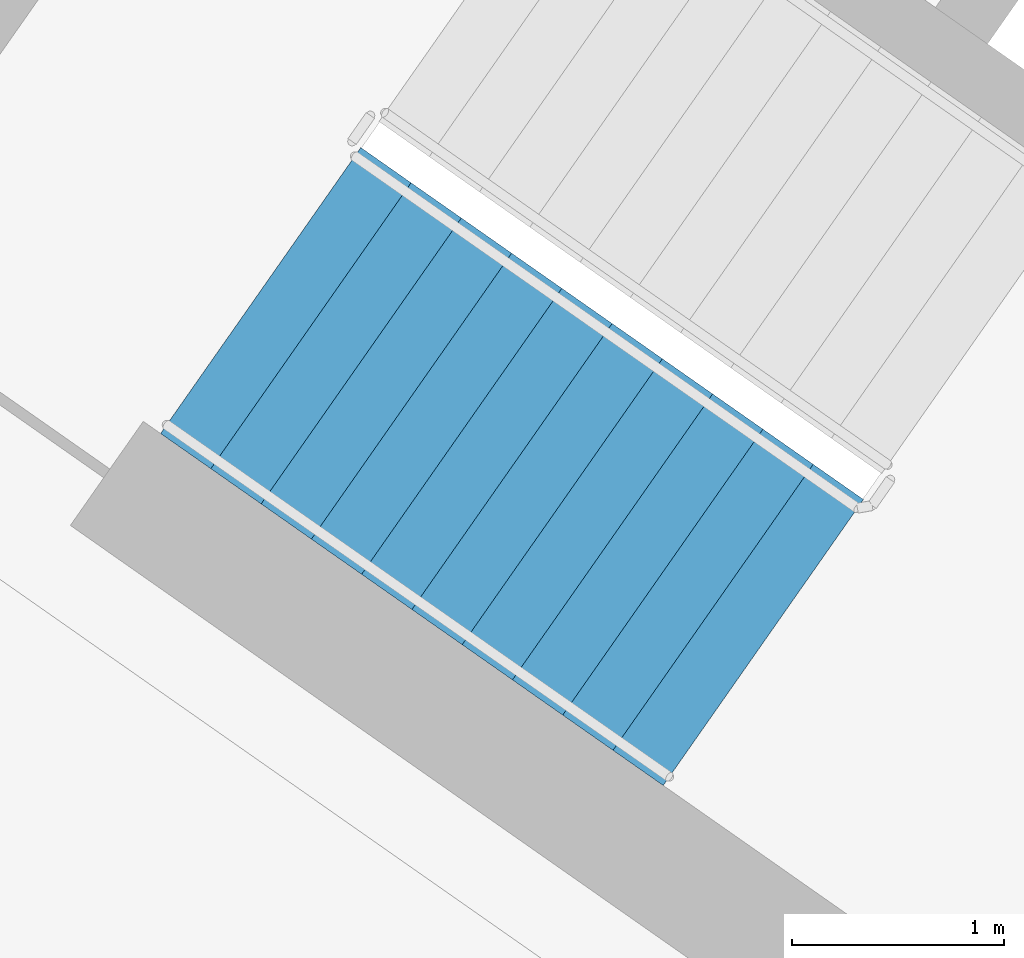
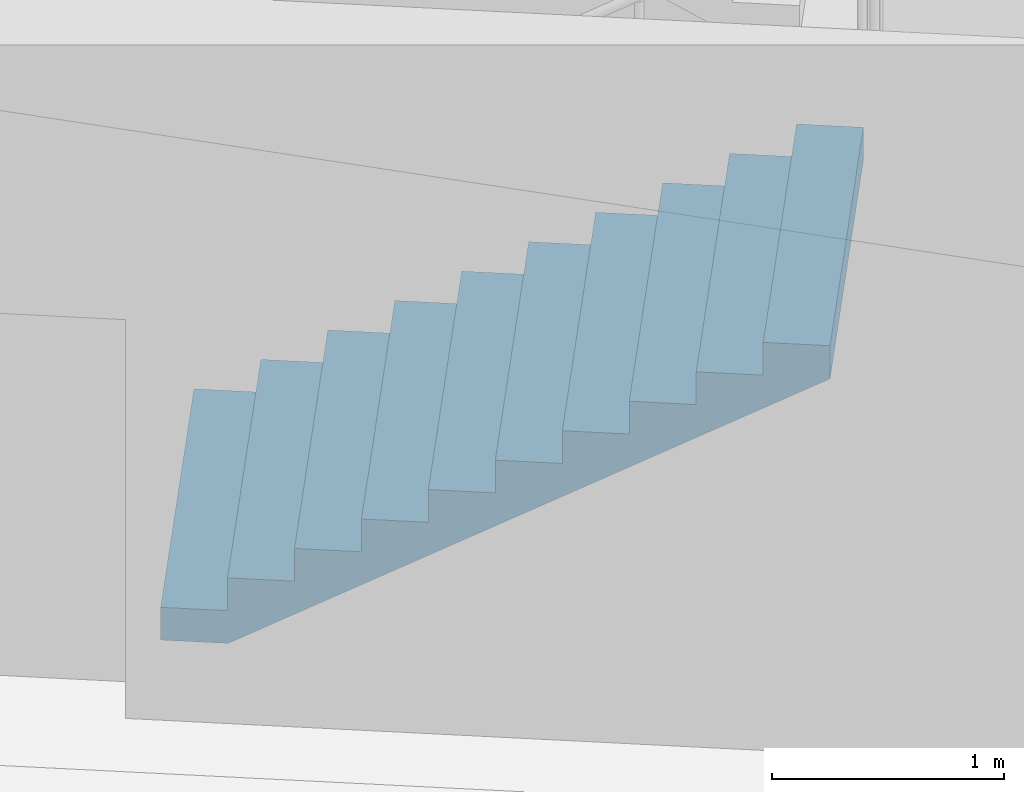
# One storey, part 9 of 28: 1 stair flight, 1 element without a shape of its own.
"""IFC4 building model written with IfcOpenShell, lengths in metres."""

import ifcopenshell
import ifcopenshell.guid

model = None  # the IFC model being written
_history = None  # IfcOwnerHistory: only IFC2X3 demands one
_inside = {}  # id of a spatial element -> (the spatial element, [elements in it])
_under = {}  # id of a project, library or spatial element -> (it, [spatial elements below it])
_declared = {}  # id of a project -> (the project, [libraries it declares])
_typed = {}  # id of a type object -> (the type object, [elements of that type])
_made_of = {}  # id of a material, layer set ... -> (it, [elements and type objects made of it])


def new_model(schema):
    """Start an empty IFC model of exactly this schema.

    Asked for "IFC4X3", IfcOpenShell would pick the latest addendum, in which some entities
    have other attributes; the version numbers below select the first issue.
    IFC2X3 requires an IfcOwnerHistory on every rooted entity: one is made here for all.
    """
    global model, _history
    if schema == "IFC4X3":
        model = ifcopenshell.file(schema_version=(4, 3, 0, 0))
    else:
        model = ifcopenshell.file(schema=schema)
    _inside.clear()
    _under.clear()
    _declared.clear()
    _typed.clear()
    _made_of.clear()
    _history = None
    if model.schema == "IFC2X3":
        org = make("IfcOrganization", Name="unknown")
        user = make(
            "IfcPersonAndOrganization",
            ThePerson=make("IfcPerson", FamilyName="unknown"),
            TheOrganization=org,
        )
        app = make(
            "IfcApplication",
            ApplicationDeveloper=org,
            Version="unknown",
            ApplicationFullName="unknown",
            ApplicationIdentifier="unknown",
        )
        _history = make(
            "IfcOwnerHistory",
            OwningUser=user,
            OwningApplication=app,
            ChangeAction="ADDED",
            CreationDate=0,
        )
    return model


def make(cls, **values):
    """One entity of the class cls with the attributes given. An attribute that is None is left unset."""
    return model.create_entity(
        cls, **{name: value for name, value in values.items() if value is not None}
    )


def rooted(cls, **values):
    """An entity with a GlobalId (a new one), such as an element, a storey or a relation."""
    return make(cls, GlobalId=ifcopenshell.guid.new(), OwnerHistory=_history, **values)


def si_unit(unit_type, name, prefix=None):
    """IfcSIUnit, for example si_unit("LENGTHUNIT", "METRE", prefix="MILLI")."""
    return make("IfcSIUnit", UnitType=unit_type, Prefix=prefix, Name=name)


def assignment(units):
    """IfcUnitAssignment: the units of a project."""
    return None if units is None else make("IfcUnitAssignment", Units=units)


def point(xyz):
    """IfcCartesianPoint."""
    return None if xyz is None else make("IfcCartesianPoint", Coordinates=xyz)


def direction(xyz):
    """IfcDirection."""
    return None if xyz is None else make("IfcDirection", DirectionRatios=xyz)


def frame(location, z_axis=None, x_axis=None):
    """IfcAxis2Placement3D, a coordinate frame: its origin and axes. An axis left out is left unset."""
    return make(
        "IfcAxis2Placement3D",
        Location=point(location),
        Axis=direction(z_axis),
        RefDirection=direction(x_axis),
    )


def origin():
    """The frame at (0, 0, 0) with its axes left unset."""
    return frame((0.0, 0.0, 0.0))


def place(relative_to, where):
    """IfcLocalPlacement: puts the frame where relative to a parent placement (None: the world)."""
    return make(
        "IfcLocalPlacement", PlacementRelTo=relative_to, RelativePlacement=where
    )


def context(
    kind, dimensions, precision=None, world=None, true_north=None, identifier=None
):
    """IfcGeometricRepresentationContext, for example the 3D "Model" context."""
    return make(
        "IfcGeometricRepresentationContext",
        ContextIdentifier=identifier,
        ContextType=kind,
        CoordinateSpaceDimension=dimensions,
        Precision=precision,
        WorldCoordinateSystem=world,
        TrueNorth=true_north,
    )


def subcontext(parent, identifier, kind, view, scale=None):
    """IfcGeometricRepresentationSubContext, for example "Body" below "Model"."""
    return make(
        "IfcGeometricRepresentationSubContext",
        ContextIdentifier=identifier,
        ContextType=kind,
        ParentContext=parent,
        TargetScale=scale,
        TargetView=view,
    )


def project(units=None, contexts=None):
    """IfcProject with its units and contexts."""
    return rooted(
        "IfcProject",
        Name="project",
        RepresentationContexts=contexts,
        UnitsInContext=assignment(units),
    )


def spatial(cls, under=None, at=None, **own):
    """A site, building, storey or space (cls), placed at a placement, below another one or the project."""
    s = rooted(cls, ObjectPlacement=at, **own)
    if under is not None:
        _under.setdefault(under.id(), (under, []))[1].append(s)
    return s


def faces_of(points, faces, orient=None, outer=None):
    """IfcFace entities. A face is a list of loops; a loop is a list of indices into points, from 0.

    orient and outer hold one flag for each loop. By default every Orientation is true, the
    first loop of a face is its IfcFaceOuterBound and the others are IfcFaceBound.
    """
    made = []
    for i, loops in enumerate(faces):
        bounds = []
        for j, loop in enumerate(loops):
            is_outer = j == 0 if outer is None else outer[i][j]
            bounds.append(
                make(
                    "IfcFaceOuterBound" if is_outer else "IfcFaceBound",
                    Bound=make("IfcPolyLoop", Polygon=[points[k] for k in loop]),
                    Orientation=True if orient is None else orient[i][j],
                )
            )
        made.append(make("IfcFace", Bounds=bounds))
    return made


def faceted_brep(points, faces, orient=None, outer=None, voids=None):
    """IfcFacetedBrep: a solid bounded by flat faces; with voids (closed shells), ...WithVoids."""
    shared = [point(p) for p in points]
    hull = make("IfcClosedShell", CfsFaces=faces_of(shared, faces, orient, outer))
    if voids is None:
        return make("IfcFacetedBrep", Outer=hull)
    return make(
        "IfcFacetedBrepWithVoids",
        Outer=hull,
        Voids=[
            make(cls, CfsFaces=faces_of(shared, fs, o, b)) for cls, fs, o, b in voids
        ],
    )


def shape(context_of_items, identifier, shape_type, items):
    """IfcShapeRepresentation: the items that make up one representation, for example the "Body"."""
    return make(
        "IfcShapeRepresentation",
        ContextOfItems=context_of_items,
        RepresentationIdentifier=identifier,
        RepresentationType=shape_type,
        Items=items,
    )


def material(Name=None, Category=None):
    """IfcMaterial."""
    return make("IfcMaterial", Name=Name, Category=Category)


def made_of(thing, what):
    """Note that an element or type object is made of a material, layer set ...; save() writes the relation."""
    if what is not None:
        _made_of.setdefault(what.id(), (what, []))[1].append(thing)
    return thing


def type_object(cls, material=None, **own):
    """A type object (cls), such as IfcWallType, which elements share."""
    return made_of(rooted(cls, **own), material)


def element(
    cls,
    number,
    at=None,
    inside=None,
    cuts=None,
    type_object=None,
    material=None,
    context=None,
    identifier="Body",
    shape_type=None,
    held_by="IfcProductDefinitionShape",
    body=None,
    shapes=None,
    **own,
):
    """One element of the class cls, such as IfcWall. Its Tag is "e" and its number.

    at: its placement. inside: the storey or other place that contains it. cuts: it is an
    opening in that element (IfcRelVoidsElement). A single representation is given by context,
    identifier, shape_type and body (its items); several are given by shapes. held_by: the class
    of the entity that holds the representations. save() writes the other relations.
    """
    e = rooted(cls, Tag="e%d" % number, ObjectPlacement=at, **own)
    if body is not None:
        shapes = [shape(context, identifier, shape_type, body)]
    if shapes is not None:
        e.Representation = make(held_by, Representations=shapes)
    if inside is not None:
        _inside.setdefault(inside.id(), (inside, []))[1].append(e)
    if cuts is not None:
        rooted(
            "IfcRelVoidsElement", RelatingBuildingElement=cuts, RelatedOpeningElement=e
        )
    if type_object is not None:
        _typed.setdefault(type_object.id(), (type_object, []))[1].append(e)
    return made_of(e, material)


def aggregate(whole, parts):
    """IfcRelAggregates: a whole, such as a stair, and the parts it consists of."""
    return rooted("IfcRelAggregates", RelatingObject=whole, RelatedObjects=parts)


def save(model, path):
    """Write the relations noted so far, then the file.

    IfcRelAggregates (storeys below a building ...), IfcRelContainedInSpatialStructure (elements
    in a storey), IfcRelDefinesByType, IfcRelAssociatesMaterial and IfcRelDeclares: one each for
    every whole, place, type object, material and project.
    """
    for whole, parts in _under.values():
        aggregate(whole, parts)
    for where, things in _inside.values():
        rooted(
            "IfcRelContainedInSpatialStructure",
            RelatedElements=things,
            RelatingStructure=where,
        )
    for kind, things in _typed.values():
        rooted("IfcRelDefinesByType", RelatedObjects=things, RelatingType=kind)
    for what, things in _made_of.values():
        rooted("IfcRelAssociatesMaterial", RelatedObjects=things, RelatingMaterial=what)
    for by, libraries in _declared.values():
        rooted("IfcRelDeclares", RelatingContext=by, RelatedDefinitions=libraries)
    model.write(path)


model = new_model("IFC4")

# Units and contexts
model_context = context("Model", 3, precision=1e-05, world=origin(), true_north=direction((0.0, 1.0)))
body_context = subcontext(model_context, "Body", "Model", "MODEL_VIEW")
ifc_project = project(units=[si_unit("LENGTHUNIT", "METRE"), si_unit("AREAUNIT", "SQUARE_METRE"), si_unit("VOLUMEUNIT", "CUBIC_METRE"), si_unit("PLANEANGLEUNIT", "RADIAN"), si_unit("MASSUNIT", "GRAM", prefix="KILO")], contexts=[model_context])

# Site, building, storey
site_placement = place(None, origin())
site = spatial("IfcSite", under=ifc_project, at=site_placement, CompositionType="ELEMENT")
building_placement = place(site_placement, origin())
building = spatial("IfcBuilding", under=site, at=building_placement, Name="Qamariyya Broadcast Tower", CompositionType="ELEMENT")
storey_placement = place(building_placement, frame((0.0, 0.0, 249.300048828125)))
storey = spatial("IfcBuildingStorey", under=building, at=storey_placement, Name="L60", CompositionType="ELEMENT", Elevation=249.300048828125)

# Stair, stair flight
ifc_material = material(Name="Concrete C50/60", Category="concrete")
stair_type = type_object("IfcStairType", Name="Exit stair 22 risers of 173 mm", PredefinedType="HALF_TURN_STAIR", material=ifc_material)
stair_placement = place(storey_placement, origin())
stair = element("IfcStair", 1, at=stair_placement, inside=storey, type_object=stair_type, Name="L60 Stair W1", PredefinedType="HALF_TURN_STAIR")
stair_flight_type = type_object("IfcStairFlightType", Name="Exit stair flight 11 risers of 173 mm", PredefinedType="STRAIGHT", material=ifc_material)
stair_flight_placement = place(storey_placement, frame((-47.06884765625, -56.982666015625, 0.0), z_axis=(0.0, 0.0, 1.0), x_axis=(0.819152044289, -0.573576436351, 0.0)))
stair_flight = element("IfcStairFlight", 2, at=stair_flight_placement, type_object=stair_flight_type, Name="ST-W1 flight 1", NumberOfRisers=11, NumberOfTreads=10, PredefinedType="STRAIGHT", RiserHeight=0.172727273, TreadLength=0.29, context=body_context, shape_type="Brep", body=[
    faceted_brep([(0.0, 0.824951171875, 0.0), (0.0, 0.824951171875, 0.172607421875), (0.2900390625, 0.824951171875, 0.172607421875), (0.2900390625, 0.824951171875, 0.345458984375), (0.580078125, 0.824951171875, 0.345458984375), (0.580078125, 0.824951171875, 0.51806640625), (0.8701171875, 0.824951171875, 0.51806640625), (0.8701171875, 0.824951171875, 0.69091796875), (1.159912109375, 0.824951171875, 0.69091796875), (1.159912109375, 0.824951171875, 0.863525390625), (1.449951171875, 0.824951171875, 0.863525390625), (1.449951171875, 0.824951171875, 1.036376953125), (1.739990234375, 0.824951171875, 1.036376953125), (1.739990234375, 0.824951171875, 1.208984375), (2.030029296875, 0.824951171875, 1.208984375), (2.030029296875, 0.824951171875, 1.3818359375), (2.320068359375, 0.824951171875, 1.3818359375), (2.320068359375, 0.824951171875, 1.554443359375), (2.610107421875, 0.824951171875, 1.554443359375), (2.610107421875, 0.824951171875, 1.727294921875), (2.89990234375, 0.824951171875, 1.727294921875), (2.89990234375, 0.824951171875, 1.552734375), (0.29296875, 0.824951171875, 0.0), (0.29296875, -0.824951171875, 0.0), (2.89990234375, -0.824951171875, 1.552734375), (2.89990234375, -0.824951171875, 1.727294921875), (2.610107421875, -0.824951171875, 1.727294921875), (2.610107421875, -0.824951171875, 1.554443359375), (2.320068359375, -0.824951171875, 1.554443359375), (2.320068359375, -0.824951171875, 1.3818359375), (2.030029296875, -0.824951171875, 1.3818359375), (2.030029296875, -0.824951171875, 1.208984375), (1.739990234375, -0.824951171875, 1.208984375), (1.739990234375, -0.824951171875, 1.036376953125), (1.449951171875, -0.824951171875, 1.036376953125), (1.449951171875, -0.824951171875, 0.863525390625), (1.159912109375, -0.824951171875, 0.863525390625), (1.159912109375, -0.824951171875, 0.69091796875), (0.8701171875, -0.824951171875, 0.69091796875), (0.8701171875, -0.824951171875, 0.51806640625), (0.580078125, -0.824951171875, 0.51806640625), (0.580078125, -0.824951171875, 0.345458984375), (0.2900390625, -0.824951171875, 0.345458984375), (0.2900390625, -0.824951171875, 0.172607421875), (0.0, -0.824951171875, 0.172607421875), (0.0, -0.824951171875, 0.0), (0.0, 0.10009765625, 0.0), (0.0, 0.086669921875, 0.0), (0.0, 0.0732421875, 0.0), (0.0, 0.06005859375, 0.0), (0.0, 0.046630859375, 0.0), (0.0, 0.033447265625, 0.0), (0.0, 0.02001953125, 0.0), (0.0, 0.006591796875, 0.0), (0.0, -0.006591796875, 0.0), (0.0, -0.02001953125, 0.0), (0.0, -0.033447265625, 0.0), (0.0, -0.046630859375, 0.0), (0.0, -0.06005859375, 0.0), (0.0, -0.0732421875, 0.0), (0.0, -0.086669921875, 0.0), (0.0, -0.10009765625, 0.0), (0.0, -0.10009765625, 0.172607421875), (0.0, -0.086669921875, 0.172607421875), (0.0, -0.0732421875, 0.172607421875), (0.0, -0.06005859375, 0.172607421875), (0.0, -0.046630859375, 0.172607421875), (0.0, -0.033447265625, 0.172607421875), (0.0, -0.02001953125, 0.172607421875), (0.0, -0.006591796875, 0.172607421875), (0.0, 0.006591796875, 0.172607421875), (0.0, 0.02001953125, 0.172607421875), (0.0, 0.033447265625, 0.172607421875), (0.0, 0.046630859375, 0.172607421875), (0.0, 0.06005859375, 0.172607421875), (0.0, 0.0732421875, 0.172607421875), (0.0, 0.086669921875, 0.172607421875), (0.0, 0.10009765625, 0.172607421875), (0.2900390625, -0.10009765625, 0.172607421875), (0.2900390625, -0.086669921875, 0.172607421875), (0.2900390625, -0.0732421875, 0.172607421875), (0.2900390625, -0.06005859375, 0.172607421875), (0.2900390625, -0.046630859375, 0.172607421875), (0.2900390625, -0.033447265625, 0.172607421875), (0.2900390625, -0.02001953125, 0.172607421875), (0.2900390625, -0.006591796875, 0.172607421875), (0.2900390625, 0.006591796875, 0.172607421875), (0.2900390625, 0.02001953125, 0.172607421875), (0.2900390625, 0.033447265625, 0.172607421875), (0.2900390625, 0.046630859375, 0.172607421875), (0.2900390625, 0.06005859375, 0.172607421875), (0.2900390625, 0.0732421875, 0.172607421875), (0.2900390625, 0.086669921875, 0.172607421875), (0.2900390625, 0.10009765625, 0.172607421875), (0.2900390625, -0.10009765625, 0.345458984375), (0.2900390625, -0.086669921875, 0.345458984375), (0.2900390625, -0.0732421875, 0.345458984375), (0.2900390625, -0.06005859375, 0.345458984375), (0.2900390625, -0.046630859375, 0.345458984375), (0.2900390625, -0.033447265625, 0.345458984375), (0.2900390625, -0.02001953125, 0.345458984375), (0.2900390625, -0.006591796875, 0.345458984375), (0.2900390625, 0.006591796875, 0.345458984375), (0.2900390625, 0.02001953125, 0.345458984375), (0.2900390625, 0.033447265625, 0.345458984375), (0.2900390625, 0.046630859375, 0.345458984375), (0.2900390625, 0.06005859375, 0.345458984375), (0.2900390625, 0.0732421875, 0.345458984375), (0.2900390625, 0.086669921875, 0.345458984375), (0.2900390625, 0.10009765625, 0.345458984375), (0.580078125, -0.10009765625, 0.345458984375), (0.580078125, -0.086669921875, 0.345458984375), (0.580078125, -0.0732421875, 0.345458984375), (0.580078125, -0.06005859375, 0.345458984375), (0.580078125, -0.046630859375, 0.345458984375), (0.580078125, -0.033447265625, 0.345458984375), (0.580078125, -0.02001953125, 0.345458984375), (0.580078125, -0.006591796875, 0.345458984375), (0.580078125, 0.006591796875, 0.345458984375), (0.580078125, 0.02001953125, 0.345458984375), (0.580078125, 0.033447265625, 0.345458984375), (0.580078125, 0.046630859375, 0.345458984375), (0.580078125, 0.06005859375, 0.345458984375), (0.580078125, 0.0732421875, 0.345458984375), (0.580078125, 0.086669921875, 0.345458984375), (0.580078125, 0.10009765625, 0.345458984375), (0.580078125, -0.10009765625, 0.51806640625), (0.580078125, -0.086669921875, 0.51806640625), (0.580078125, -0.0732421875, 0.51806640625), (0.580078125, -0.06005859375, 0.51806640625), (0.580078125, -0.046630859375, 0.51806640625), (0.580078125, -0.033447265625, 0.51806640625), (0.580078125, -0.02001953125, 0.51806640625), (0.580078125, -0.006591796875, 0.51806640625), (0.580078125, 0.006591796875, 0.51806640625), (0.580078125, 0.02001953125, 0.51806640625), (0.580078125, 0.033447265625, 0.51806640625), (0.580078125, 0.046630859375, 0.51806640625), (0.580078125, 0.06005859375, 0.51806640625), (0.580078125, 0.0732421875, 0.51806640625), (0.580078125, 0.086669921875, 0.51806640625), (0.580078125, 0.10009765625, 0.51806640625), (0.8701171875, -0.10009765625, 0.51806640625), (0.8701171875, -0.086669921875, 0.51806640625), (0.8701171875, -0.0732421875, 0.51806640625), (0.8701171875, -0.06005859375, 0.51806640625), (0.8701171875, -0.046630859375, 0.51806640625), (0.8701171875, -0.033447265625, 0.51806640625), (0.8701171875, -0.02001953125, 0.51806640625), (0.8701171875, -0.006591796875, 0.51806640625), (0.8701171875, 0.006591796875, 0.51806640625), (0.8701171875, 0.02001953125, 0.51806640625), (0.8701171875, 0.033447265625, 0.51806640625), (0.8701171875, 0.046630859375, 0.51806640625), (0.8701171875, 0.06005859375, 0.51806640625), (0.8701171875, 0.0732421875, 0.51806640625), (0.8701171875, 0.086669921875, 0.51806640625), (0.8701171875, 0.10009765625, 0.51806640625), (0.8701171875, -0.10009765625, 0.69091796875), (0.8701171875, -0.086669921875, 0.69091796875), (0.8701171875, -0.0732421875, 0.69091796875), (0.8701171875, -0.06005859375, 0.69091796875), (0.8701171875, -0.046630859375, 0.69091796875), (0.8701171875, -0.033447265625, 0.69091796875), (0.8701171875, -0.02001953125, 0.69091796875), (0.8701171875, -0.006591796875, 0.69091796875), (0.8701171875, 0.006591796875, 0.69091796875), (0.8701171875, 0.02001953125, 0.69091796875), (0.8701171875, 0.033447265625, 0.69091796875), (0.8701171875, 0.046630859375, 0.69091796875), (0.8701171875, 0.06005859375, 0.69091796875), (0.8701171875, 0.0732421875, 0.69091796875), (0.8701171875, 0.086669921875, 0.69091796875), (0.8701171875, 0.10009765625, 0.69091796875), (1.159912109375, -0.10009765625, 0.69091796875), (1.159912109375, -0.086669921875, 0.69091796875), (1.159912109375, -0.0732421875, 0.69091796875), (1.159912109375, -0.06005859375, 0.69091796875), (1.159912109375, -0.046630859375, 0.69091796875), (1.159912109375, -0.033447265625, 0.69091796875), (1.159912109375, -0.02001953125, 0.69091796875), (1.159912109375, -0.006591796875, 0.69091796875), (1.159912109375, 0.006591796875, 0.69091796875), (1.159912109375, 0.02001953125, 0.69091796875), (1.159912109375, 0.033447265625, 0.69091796875), (1.159912109375, 0.046630859375, 0.69091796875), (1.159912109375, 0.06005859375, 0.69091796875), (1.159912109375, 0.0732421875, 0.69091796875), (1.159912109375, 0.086669921875, 0.69091796875), (1.159912109375, 0.10009765625, 0.69091796875), (1.159912109375, -0.10009765625, 0.863525390625), (1.159912109375, -0.086669921875, 0.863525390625), (1.159912109375, -0.0732421875, 0.863525390625), (1.159912109375, -0.06005859375, 0.863525390625), (1.159912109375, -0.046630859375, 0.863525390625), (1.159912109375, -0.033447265625, 0.863525390625), (1.159912109375, -0.02001953125, 0.863525390625), (1.159912109375, -0.006591796875, 0.863525390625), (1.159912109375, 0.006591796875, 0.863525390625), (1.159912109375, 0.02001953125, 0.863525390625), (1.159912109375, 0.033447265625, 0.863525390625), (1.159912109375, 0.046630859375, 0.863525390625), (1.159912109375, 0.06005859375, 0.863525390625), (1.159912109375, 0.0732421875, 0.863525390625), (1.159912109375, 0.086669921875, 0.863525390625), (1.159912109375, 0.10009765625, 0.863525390625), (1.449951171875, -0.10009765625, 0.863525390625), (1.449951171875, -0.086669921875, 0.863525390625), (1.449951171875, -0.0732421875, 0.863525390625), (1.449951171875, -0.06005859375, 0.863525390625), (1.449951171875, -0.046630859375, 0.863525390625), (1.449951171875, -0.033447265625, 0.863525390625), (1.449951171875, -0.02001953125, 0.863525390625), (1.449951171875, -0.006591796875, 0.863525390625), (1.449951171875, 0.006591796875, 0.863525390625), (1.449951171875, 0.02001953125, 0.863525390625), (1.449951171875, 0.033447265625, 0.863525390625), (1.449951171875, 0.046630859375, 0.863525390625), (1.449951171875, 0.06005859375, 0.863525390625), (1.449951171875, 0.0732421875, 0.863525390625), (1.449951171875, 0.086669921875, 0.863525390625), (1.449951171875, 0.10009765625, 0.863525390625), (1.449951171875, -0.10009765625, 1.036376953125), (1.449951171875, -0.086669921875, 1.036376953125), (1.449951171875, -0.0732421875, 1.036376953125), (1.449951171875, -0.06005859375, 1.036376953125), (1.449951171875, -0.046630859375, 1.036376953125), (1.449951171875, -0.033447265625, 1.036376953125), (1.449951171875, -0.02001953125, 1.036376953125), (1.449951171875, -0.006591796875, 1.036376953125), (1.449951171875, 0.006591796875, 1.036376953125), (1.449951171875, 0.02001953125, 1.036376953125), (1.449951171875, 0.033447265625, 1.036376953125), (1.449951171875, 0.046630859375, 1.036376953125), (1.449951171875, 0.06005859375, 1.036376953125), (1.449951171875, 0.0732421875, 1.036376953125), (1.449951171875, 0.086669921875, 1.036376953125), (1.449951171875, 0.10009765625, 1.036376953125), (1.739990234375, -0.10009765625, 1.036376953125), (1.739990234375, -0.086669921875, 1.036376953125), (1.739990234375, -0.0732421875, 1.036376953125), (1.739990234375, -0.06005859375, 1.036376953125), (1.739990234375, -0.046630859375, 1.036376953125), (1.739990234375, -0.033447265625, 1.036376953125), (1.739990234375, -0.02001953125, 1.036376953125), (1.739990234375, -0.006591796875, 1.036376953125), (1.739990234375, 0.006591796875, 1.036376953125), (1.739990234375, 0.02001953125, 1.036376953125), (1.739990234375, 0.033447265625, 1.036376953125), (1.739990234375, 0.046630859375, 1.036376953125), (1.739990234375, 0.06005859375, 1.036376953125), (1.739990234375, 0.0732421875, 1.036376953125), (1.739990234375, 0.086669921875, 1.036376953125), (1.739990234375, 0.10009765625, 1.036376953125), (1.739990234375, -0.10009765625, 1.208984375), (1.739990234375, -0.086669921875, 1.208984375), (1.739990234375, -0.0732421875, 1.208984375), (1.739990234375, -0.06005859375, 1.208984375), (1.739990234375, -0.046630859375, 1.208984375), (1.739990234375, -0.033447265625, 1.208984375), (1.739990234375, -0.02001953125, 1.208984375), (1.739990234375, -0.006591796875, 1.208984375), (1.739990234375, 0.006591796875, 1.208984375), (1.739990234375, 0.02001953125, 1.208984375), (1.739990234375, 0.033447265625, 1.208984375), (1.739990234375, 0.046630859375, 1.208984375), (1.739990234375, 0.06005859375, 1.208984375), (1.739990234375, 0.0732421875, 1.208984375), (1.739990234375, 0.086669921875, 1.208984375), (1.739990234375, 0.10009765625, 1.208984375), (2.030029296875, -0.10009765625, 1.208984375), (2.030029296875, -0.086669921875, 1.208984375), (2.030029296875, -0.0732421875, 1.208984375), (2.030029296875, -0.06005859375, 1.208984375), (2.030029296875, -0.046630859375, 1.208984375), (2.030029296875, -0.033447265625, 1.208984375), (2.030029296875, -0.02001953125, 1.208984375), (2.030029296875, -0.006591796875, 1.208984375), (2.030029296875, 0.006591796875, 1.208984375), (2.030029296875, 0.02001953125, 1.208984375), (2.030029296875, 0.033447265625, 1.208984375), (2.030029296875, 0.046630859375, 1.208984375), (2.030029296875, 0.06005859375, 1.208984375), (2.030029296875, 0.0732421875, 1.208984375), (2.030029296875, 0.086669921875, 1.208984375), (2.030029296875, 0.10009765625, 1.208984375), (2.030029296875, -0.10009765625, 1.3818359375), (2.030029296875, -0.086669921875, 1.3818359375), (2.030029296875, -0.0732421875, 1.3818359375), (2.030029296875, -0.06005859375, 1.3818359375), (2.030029296875, -0.046630859375, 1.3818359375), (2.030029296875, -0.033447265625, 1.3818359375), (2.030029296875, -0.02001953125, 1.3818359375), (2.030029296875, -0.006591796875, 1.3818359375), (2.030029296875, 0.006591796875, 1.3818359375), (2.030029296875, 0.02001953125, 1.3818359375), (2.030029296875, 0.033447265625, 1.3818359375), (2.030029296875, 0.046630859375, 1.3818359375), (2.030029296875, 0.06005859375, 1.3818359375), (2.030029296875, 0.0732421875, 1.3818359375), (2.030029296875, 0.086669921875, 1.3818359375), (2.030029296875, 0.10009765625, 1.3818359375), (2.320068359375, -0.10009765625, 1.3818359375), (2.320068359375, -0.086669921875, 1.3818359375), (2.320068359375, -0.0732421875, 1.3818359375), (2.320068359375, -0.06005859375, 1.3818359375), (2.320068359375, -0.046630859375, 1.3818359375), (2.320068359375, -0.033447265625, 1.3818359375), (2.320068359375, -0.02001953125, 1.3818359375), (2.320068359375, -0.006591796875, 1.3818359375), (2.320068359375, 0.006591796875, 1.3818359375), (2.320068359375, 0.02001953125, 1.3818359375), (2.320068359375, 0.033447265625, 1.3818359375), (2.320068359375, 0.046630859375, 1.3818359375), (2.320068359375, 0.06005859375, 1.3818359375), (2.320068359375, 0.0732421875, 1.3818359375), (2.320068359375, 0.086669921875, 1.3818359375), (2.320068359375, 0.10009765625, 1.3818359375), (2.320068359375, -0.10009765625, 1.554443359375), (2.320068359375, -0.086669921875, 1.554443359375), (2.320068359375, -0.0732421875, 1.554443359375), (2.320068359375, -0.06005859375, 1.554443359375), (2.320068359375, -0.046630859375, 1.554443359375), (2.320068359375, -0.033447265625, 1.554443359375), (2.320068359375, -0.02001953125, 1.554443359375), (2.320068359375, -0.006591796875, 1.554443359375), (2.320068359375, 0.006591796875, 1.554443359375), (2.320068359375, 0.02001953125, 1.554443359375), (2.320068359375, 0.033447265625, 1.554443359375), (2.320068359375, 0.046630859375, 1.554443359375), (2.320068359375, 0.06005859375, 1.554443359375), (2.320068359375, 0.0732421875, 1.554443359375), (2.320068359375, 0.086669921875, 1.554443359375), (2.320068359375, 0.10009765625, 1.554443359375), (2.610107421875, -0.10009765625, 1.554443359375), (2.610107421875, -0.086669921875, 1.554443359375), (2.610107421875, -0.0732421875, 1.554443359375), (2.610107421875, -0.06005859375, 1.554443359375), (2.610107421875, -0.046630859375, 1.554443359375), (2.610107421875, -0.033447265625, 1.554443359375), (2.610107421875, -0.02001953125, 1.554443359375), (2.610107421875, -0.006591796875, 1.554443359375), (2.610107421875, 0.006591796875, 1.554443359375), (2.610107421875, 0.02001953125, 1.554443359375), (2.610107421875, 0.033447265625, 1.554443359375), (2.610107421875, 0.046630859375, 1.554443359375), (2.610107421875, 0.06005859375, 1.554443359375), (2.610107421875, 0.0732421875, 1.554443359375), (2.610107421875, 0.086669921875, 1.554443359375), (2.610107421875, 0.10009765625, 1.554443359375), (2.610107421875, -0.10009765625, 1.727294921875), (2.610107421875, -0.086669921875, 1.727294921875), (2.610107421875, -0.0732421875, 1.727294921875), (2.610107421875, -0.06005859375, 1.727294921875), (2.610107421875, -0.046630859375, 1.727294921875), (2.610107421875, -0.033447265625, 1.727294921875), (2.610107421875, -0.02001953125, 1.727294921875), (2.610107421875, -0.006591796875, 1.727294921875), (2.610107421875, 0.006591796875, 1.727294921875), (2.610107421875, 0.02001953125, 1.727294921875), (2.610107421875, 0.033447265625, 1.727294921875), (2.610107421875, 0.046630859375, 1.727294921875), (2.610107421875, 0.06005859375, 1.727294921875), (2.610107421875, 0.0732421875, 1.727294921875), (2.610107421875, 0.086669921875, 1.727294921875), (2.610107421875, 0.10009765625, 1.727294921875), (2.89990234375, -0.10009765625, 1.727294921875), (2.89990234375, -0.086669921875, 1.727294921875), (2.89990234375, -0.0732421875, 1.727294921875), (2.89990234375, -0.06005859375, 1.727294921875), (2.89990234375, -0.046630859375, 1.727294921875), (2.89990234375, -0.033447265625, 1.727294921875), (2.89990234375, -0.02001953125, 1.727294921875), (2.89990234375, -0.006591796875, 1.727294921875), (2.89990234375, 0.006591796875, 1.727294921875), (2.89990234375, 0.02001953125, 1.727294921875), (2.89990234375, 0.033447265625, 1.727294921875), (2.89990234375, 0.046630859375, 1.727294921875), (2.89990234375, 0.06005859375, 1.727294921875), (2.89990234375, 0.0732421875, 1.727294921875), (2.89990234375, 0.086669921875, 1.727294921875), (2.89990234375, 0.10009765625, 1.727294921875), (2.89990234375, -0.10009765625, 1.552734375), (2.89990234375, -0.086669921875, 1.552734375), (2.89990234375, -0.0732421875, 1.552734375), (2.89990234375, -0.06005859375, 1.552734375), (2.89990234375, -0.046630859375, 1.552734375), (2.89990234375, -0.033447265625, 1.552734375), (2.89990234375, -0.02001953125, 1.552734375), (2.89990234375, -0.006591796875, 1.552734375), (2.89990234375, 0.006591796875, 1.552734375), (2.89990234375, 0.02001953125, 1.552734375), (2.89990234375, 0.033447265625, 1.552734375), (2.89990234375, 0.046630859375, 1.552734375), (2.89990234375, 0.06005859375, 1.552734375), (2.89990234375, 0.0732421875, 1.552734375), (2.89990234375, 0.086669921875, 1.552734375), (2.89990234375, 0.10009765625, 1.552734375), (0.29296875, -0.10009765625, 0.0), (0.29296875, -0.086669921875, 0.0), (0.29296875, -0.0732421875, 0.0), (0.29296875, -0.06005859375, 0.0), (0.29296875, -0.046630859375, 0.0), (0.29296875, -0.033447265625, 0.0), (0.29296875, -0.02001953125, 0.0), (0.29296875, -0.006591796875, 0.0), (0.29296875, 0.006591796875, 0.0), (0.29296875, 0.02001953125, 0.0), (0.29296875, 0.033447265625, 0.0), (0.29296875, 0.046630859375, 0.0), (0.29296875, 0.06005859375, 0.0), (0.29296875, 0.0732421875, 0.0), (0.29296875, 0.086669921875, 0.0), (0.29296875, 0.10009765625, 0.0)], [[[0, 1, 2, 3, 4, 5, 6, 7, 8, 9, 10, 11, 12, 13, 14, 15, 16, 17, 18, 19, 20, 21, 22]], [[23, 24, 25, 26, 27, 28, 29, 30, 31, 32, 33, 34, 35, 36, 37, 38, 39, 40, 41, 42, 43, 44, 45]], [[0, 46, 47, 48, 49, 50, 51, 52, 53, 54, 55, 56, 57, 58, 59, 60, 61, 45, 44, 62, 63, 64, 65, 66, 67, 68, 69, 70, 71, 72, 73, 74, 75, 76, 77, 1]], [[1, 77, 76, 75, 74, 73, 72, 71, 70, 69, 68, 67, 66, 65, 64, 63, 62, 44, 43, 78, 79, 80, 81, 82, 83, 84, 85, 86, 87, 88, 89, 90, 91, 92, 93, 2]], [[2, 93, 92, 91, 90, 89, 88, 87, 86, 85, 84, 83, 82, 81, 80, 79, 78, 43, 42, 94, 95, 96, 97, 98, 99, 100, 101, 102, 103, 104, 105, 106, 107, 108, 109, 3]], [[3, 109, 108, 107, 106, 105, 104, 103, 102, 101, 100, 99, 98, 97, 96, 95, 94, 42, 41, 110, 111, 112, 113, 114, 115, 116, 117, 118, 119, 120, 121, 122, 123, 124, 125, 4]], [[4, 125, 124, 123, 122, 121, 120, 119, 118, 117, 116, 115, 114, 113, 112, 111, 110, 41, 40, 126, 127, 128, 129, 130, 131, 132, 133, 134, 135, 136, 137, 138, 139, 140, 141, 5]], [[5, 141, 140, 139, 138, 137, 136, 135, 134, 133, 132, 131, 130, 129, 128, 127, 126, 40, 39, 142, 143, 144, 145, 146, 147, 148, 149, 150, 151, 152, 153, 154, 155, 156, 157, 6]], [[6, 157, 156, 155, 154, 153, 152, 151, 150, 149, 148, 147, 146, 145, 144, 143, 142, 39, 38, 158, 159, 160, 161, 162, 163, 164, 165, 166, 167, 168, 169, 170, 171, 172, 173, 7]], [[7, 173, 172, 171, 170, 169, 168, 167, 166, 165, 164, 163, 162, 161, 160, 159, 158, 38, 37, 174, 175, 176, 177, 178, 179, 180, 181, 182, 183, 184, 185, 186, 187, 188, 189, 8]], [[8, 189, 188, 187, 186, 185, 184, 183, 182, 181, 180, 179, 178, 177, 176, 175, 174, 37, 36, 190, 191, 192, 193, 194, 195, 196, 197, 198, 199, 200, 201, 202, 203, 204, 205, 9]], [[9, 205, 204, 203, 202, 201, 200, 199, 198, 197, 196, 195, 194, 193, 192, 191, 190, 36, 35, 206, 207, 208, 209, 210, 211, 212, 213, 214, 215, 216, 217, 218, 219, 220, 221, 10]], [[10, 221, 220, 219, 218, 217, 216, 215, 214, 213, 212, 211, 210, 209, 208, 207, 206, 35, 34, 222, 223, 224, 225, 226, 227, 228, 229, 230, 231, 232, 233, 234, 235, 236, 237, 11]], [[11, 237, 236, 235, 234, 233, 232, 231, 230, 229, 228, 227, 226, 225, 224, 223, 222, 34, 33, 238, 239, 240, 241, 242, 243, 244, 245, 246, 247, 248, 249, 250, 251, 252, 253, 12]], [[12, 253, 252, 251, 250, 249, 248, 247, 246, 245, 244, 243, 242, 241, 240, 239, 238, 33, 32, 254, 255, 256, 257, 258, 259, 260, 261, 262, 263, 264, 265, 266, 267, 268, 269, 13]], [[13, 269, 268, 267, 266, 265, 264, 263, 262, 261, 260, 259, 258, 257, 256, 255, 254, 32, 31, 270, 271, 272, 273, 274, 275, 276, 277, 278, 279, 280, 281, 282, 283, 284, 285, 14]], [[14, 285, 284, 283, 282, 281, 280, 279, 278, 277, 276, 275, 274, 273, 272, 271, 270, 31, 30, 286, 287, 288, 289, 290, 291, 292, 293, 294, 295, 296, 297, 298, 299, 300, 301, 15]], [[15, 301, 300, 299, 298, 297, 296, 295, 294, 293, 292, 291, 290, 289, 288, 287, 286, 30, 29, 302, 303, 304, 305, 306, 307, 308, 309, 310, 311, 312, 313, 314, 315, 316, 317, 16]], [[16, 317, 316, 315, 314, 313, 312, 311, 310, 309, 308, 307, 306, 305, 304, 303, 302, 29, 28, 318, 319, 320, 321, 322, 323, 324, 325, 326, 327, 328, 329, 330, 331, 332, 333, 17]], [[17, 333, 332, 331, 330, 329, 328, 327, 326, 325, 324, 323, 322, 321, 320, 319, 318, 28, 27, 334, 335, 336, 337, 338, 339, 340, 341, 342, 343, 344, 345, 346, 347, 348, 349, 18]], [[18, 349, 348, 347, 346, 345, 344, 343, 342, 341, 340, 339, 338, 337, 336, 335, 334, 27, 26, 350, 351, 352, 353, 354, 355, 356, 357, 358, 359, 360, 361, 362, 363, 364, 365, 19]], [[19, 365, 364, 363, 362, 361, 360, 359, 358, 357, 356, 355, 354, 353, 352, 351, 350, 26, 25, 366, 367, 368, 369, 370, 371, 372, 373, 374, 375, 376, 377, 378, 379, 380, 381, 20]], [[20, 381, 380, 379, 378, 377, 376, 375, 374, 373, 372, 371, 370, 369, 368, 367, 366, 25, 24, 382, 383, 384, 385, 386, 387, 388, 389, 390, 391, 392, 393, 394, 395, 396, 397, 21]], [[21, 397, 396, 395, 394, 393, 392, 391, 390, 389, 388, 387, 386, 385, 384, 383, 382, 24, 23, 398, 399, 400, 401, 402, 403, 404, 405, 406, 407, 408, 409, 410, 411, 412, 413, 22]], [[22, 413, 412, 411, 410, 409, 408, 407, 406, 405, 404, 403, 402, 401, 400, 399, 398, 23, 45, 61, 60, 59, 58, 57, 56, 55, 54, 53, 52, 51, 50, 49, 48, 47, 46, 0]]]),
])
aggregate(stair, [stair_flight])

save(model, "model.ifc")
